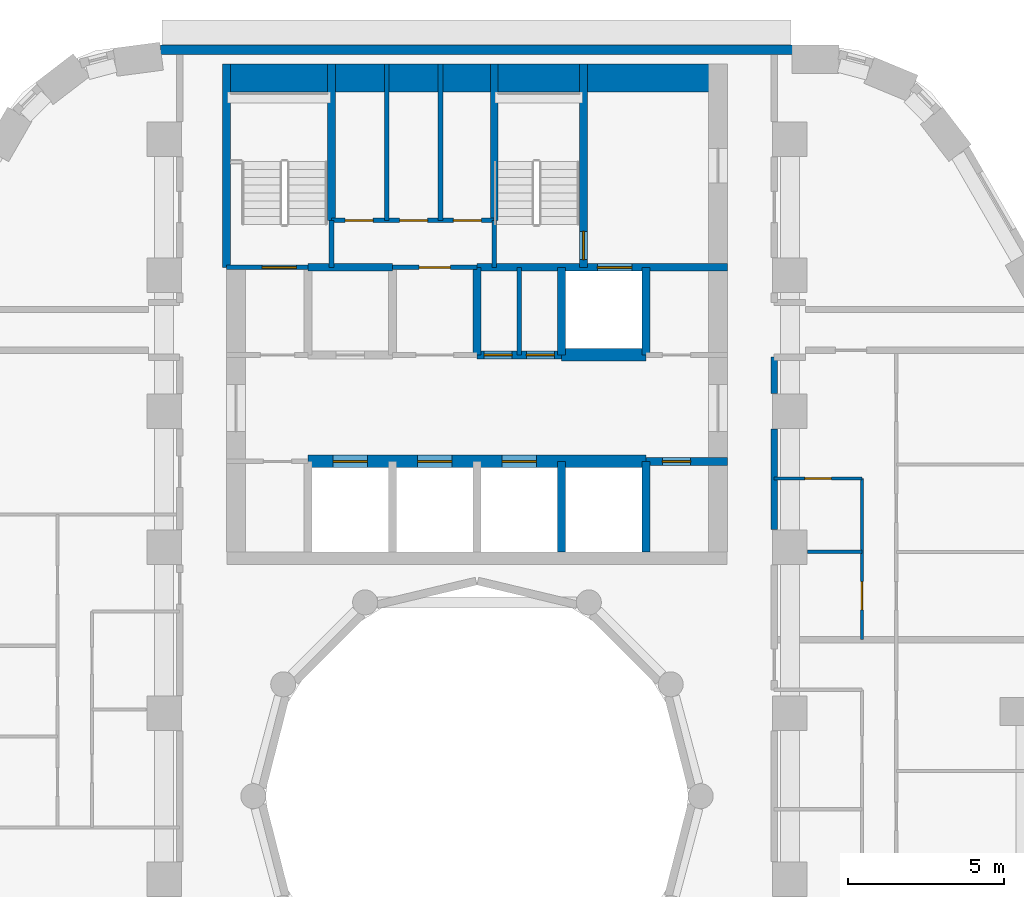
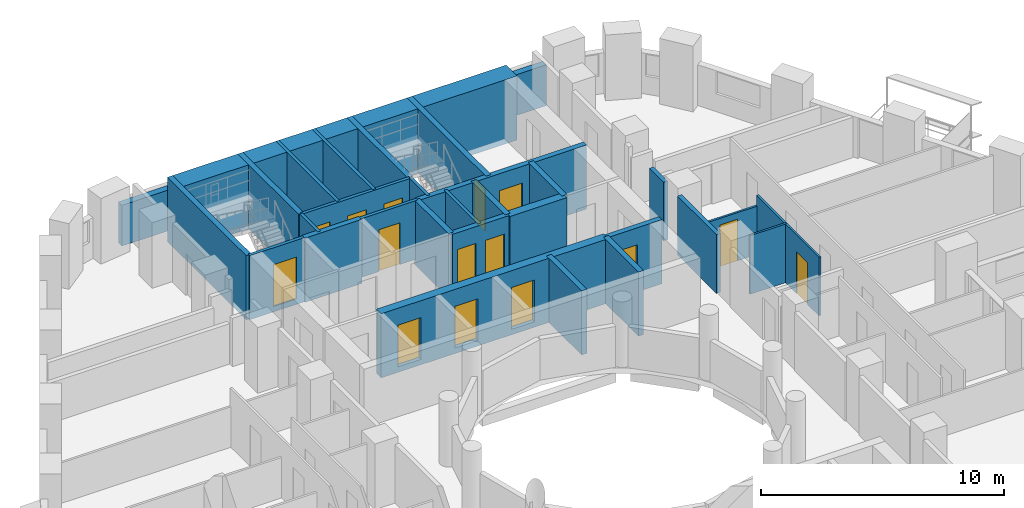
# One storey, part 8 of 13: 30 walls, 15 doors, 15 openings.
"""IFC4 building model written with IfcOpenShell, lengths in metres."""

from ifc_helpers import new_model, si_unit, direction, frame, frame_2d, origin, place, context, subcontext, project, spatial, rectangle, extrude, material, layer, layer_set, type_object, element, fill, save


model = new_model("IFC4")

# Units and contexts
model_context = context("Model", 3, precision=1e-05, world=origin(), true_north=direction((0.0, 1.0)))
body_context = subcontext(model_context, "Body", "Model", "MODEL_VIEW")
ifc_project = project(units=[si_unit("LENGTHUNIT", "METRE"), si_unit("AREAUNIT", "SQUARE_METRE"), si_unit("VOLUMEUNIT", "CUBIC_METRE"), si_unit("PLANEANGLEUNIT", "RADIAN"), si_unit("MASSUNIT", "GRAM", prefix="KILO")], contexts=[model_context])

# Site, building, storey
site_placement = place(None, origin())
site = spatial("IfcSite", under=ifc_project, at=site_placement, CompositionType="ELEMENT")
building_placement = place(site_placement, origin())
building = spatial("IfcBuilding", under=site, at=building_placement, Name="Nakaniwa Court", CompositionType="ELEMENT")
storey_placement = place(building_placement, frame((0.0, 0.0, 67.800048828125)))
storey = spatial("IfcBuildingStorey", under=building, at=storey_placement, Name="L18", CompositionType="ELEMENT", Elevation=67.800048828125)

# Walls
ifc_material_1 = material(Name="Acoustic double stud partition")
ifc_layer_1 = layer(ifc_material_1, 0.199951171875)
ifc_layer_set_1 = layer_set([ifc_layer_1], Name="Acoustic double stud partition")
wall_type_1 = type_object("IfcWallType", Name="Acoustic double stud partition 200", PredefinedType="PARTITIONING", material=ifc_layer_set_1)
wall_1_placement = place(storey_placement, frame((89.5, 88.51708984375, 0.0), z_axis=(0.0, 0.0, 1.0), x_axis=(0.0, 1.0, 0.0)))
element("IfcWall", 1, at=wall_1_placement, inside=storey, type_object=wall_type_1, Name="Partition PW-079", PredefinedType="PARTITIONING", context=body_context, shape_type="SweptSolid", body=[
    extrude(rectangle(XDim=3.2158203125, YDim=0.199951171875, at=frame_2d((1.60791015625, 0.0))), origin(), (0.0, 0.0, 1.0), 2.949951171875),
])
wall_2_placement = place(storey_placement, frame((89.5, 92.866943359375, 0.0), z_axis=(0.0, 0.0, 1.0), x_axis=(0.0, 1.0, 0.0)))
element("IfcWall", 2, at=wall_2_placement, inside=storey, type_object=wall_type_1, Name="Partition PW-080", PredefinedType="PARTITIONING", context=body_context, shape_type="SweptSolid", body=[
    extrude(rectangle(XDim=1.1611328125, YDim=0.199951171875, at=frame_2d((0.58056640625, 0.0))), origin(), (0.0, 0.0, 1.0), 2.949951171875),
])
ifc_material_2 = material(Name="Charcoal ceramic cladding")
ifc_layer_2 = layer(ifc_material_2, 0.02, Name="Ceramic cladding")
ifc_material_3 = material(Name="Ventilated air cavity")
ifc_layer_3 = layer(ifc_material_3, 0.04, ventilated=True, Name="Ventilated cavity")
ifc_material_4 = material(Name="Mineral wool insulation")
ifc_layer_4 = layer(ifc_material_4, 0.1, Name="Insulation")
ifc_material_5 = material(Name="Cement bonded sheathing board")
ifc_layer_5 = layer(ifc_material_5, 0.012, Name="Sheathing")
ifc_material_6 = material(Name="Cold-formed galvanised stud frame with mineral wool infill")
ifc_layer_6 = layer(ifc_material_6, 0.1, Name="Stud frame")
ifc_material_7 = material(Name="Fire-rated gypsum plasterboard lining")
ifc_layer_7 = layer(ifc_material_7, 0.028, Name="Lining")
ifc_layer_set_2 = layer_set([ifc_layer_2, ifc_layer_3, ifc_layer_4, ifc_layer_5, ifc_layer_6, ifc_layer_7], Name="Charcoal ceramic faced external wall system")
wall_type_2 = type_object("IfcWallType", Name="Black ceramic faced external wall 300", PredefinedType="SOLIDWALL", material=ifc_layer_set_2)
wall_3_placement = place(storey_placement, frame((90.07861328125, 103.85009765625, 0.0), z_axis=(0.0, 0.0, 1.0), x_axis=(-1.0, 0.0, 0.0)))
element("IfcWall", 3, at=wall_3_placement, inside=storey, type_object=wall_type_2, Name="L18 external wall 08", PredefinedType="SOLIDWALL", context=body_context, shape_type="SweptSolid", body=[
    extrude(rectangle(XDim=20.1904296875, YDim=0.300048828125, at=frame_2d((10.09521484375, 0.0))), origin(), (0.0, 0.0, 1.0), 2.050048828125),
])

# Wall, opening, door
ifc_material_8 = material(Name="Blockwork partition", Category="masonry")
ifc_layer_8 = layer(ifc_material_8, 0.14990234375)
ifc_layer_set_3 = layer_set([ifc_layer_8], Name="Blockwork partition")
wall_type_3 = type_object("IfcWallType", Name="Blockwork partition 150", PredefinedType="PARTITIONING", material=ifc_layer_set_3)
wall_4_placement = place(storey_placement, frame((77.300048828125, 96.89990234375, 0.0), z_axis=(0.0, 0.0, 1.0), x_axis=(1.0, 0.0, 0.0)))
wall_4 = element("IfcWall", 4, at=wall_4_placement, inside=storey, type_object=wall_type_3, Name="Partition PW-025", PredefinedType="PARTITIONING", context=body_context, shape_type="SweptSolid", body=[
    extrude(rectangle(XDim=2.699951171875, YDim=0.14990234375, at=frame_2d((1.35009765625, 0.0))), origin(), (0.0, 0.0, 1.0), 2.949951171875),
])
opening_1_placement = place(wall_4_placement, frame((0.85009765625, 0.0, 0.0)))
opening_1 = element("IfcOpeningElement", 5, at=opening_1_placement, cuts=wall_4, Name="Opening D-23-01", PredefinedType="OPENING", context=body_context, shape_type="SweptSolid", body=[
    extrude(rectangle(XDim=1.0, YDim=2.10009765625, at=frame_2d((0.5, 1.050048828125))), frame((0.0, 0.0849609375, 0.0), z_axis=(0.0, -1.0, 0.0), x_axis=(1.0, 0.0, 0.0)), (0.0, 0.0, 1.0), 0.169921875),
])
ifc_material_9 = material(Name="Fire rated steel door set", Category="steel")
door_type_1 = type_object("IfcDoorType", Name="Service room door 1000", OperationType="NOTDEFINED", PredefinedType="DOOR", material=ifc_material_9)
door_1_placement = place(opening_1_placement, origin())
door_1 = element("IfcDoor", 6, at=door_1_placement, inside=storey, type_object=door_type_1, Name="Door D-23-01 L18-009", OperationType="SINGLE_SWING_RIGHT", OverallHeight=2.10009765625, OverallWidth=1.0, PredefinedType="DOOR", context=body_context, shape_type="SweptSolid", body=[
    extrude(rectangle(XDim=1.0, YDim=2.10009765625, at=frame_2d((0.5, 1.050048828125))), frame((0.0, 0.02490234375, 0.0), z_axis=(0.0, -1.0, 0.0), x_axis=(1.0, 0.0, 0.0)), (0.0, 0.0, 1.0), 0.050048828125),
])
fill(opening_1, door_1)

# Wall
wall_5_placement = place(storey_placement, frame((81.35009765625, 94.10009765625, 0.0), z_axis=(0.0, 0.0, 1.0), x_axis=(0.0, 1.0, 0.0)))
element("IfcWall", 7, at=wall_5_placement, inside=storey, type_object=wall_type_3, Name="Partition PW-026", PredefinedType="PARTITIONING", context=body_context, shape_type="SweptSolid", body=[
    extrude(rectangle(XDim=2.7998046875, YDim=0.14990234375, at=frame_2d((1.39990234375, 0.0))), origin(), (0.0, 0.0, 1.0), 2.949951171875),
])

# Wall, openings, doors
wall_6_placement = place(storey_placement, frame((75.35009765625, 98.39990234375, 0.0), z_axis=(0.0, 0.0, 1.0), x_axis=(1.0, 0.0, 0.0)))
wall_6 = element("IfcWall", 8, at=wall_6_placement, inside=storey, type_object=wall_type_3, Name="Partition PW-033", PredefinedType="PARTITIONING", context=body_context, shape_type="SweptSolid", body=[
    extrude(rectangle(XDim=5.199951171875, YDim=0.14990234375, at=frame_2d((2.60009765625, 0.0))), origin(), (0.0, 0.0, 1.0), 2.949951171875),
])
opening_2_placement = place(wall_6_placement, frame((0.43408203125, 0.0, 0.0)))
opening_2 = element("IfcOpeningElement", 9, at=opening_2_placement, cuts=wall_6, Name="Opening D-05-07", PredefinedType="OPENING", context=body_context, shape_type="SweptSolid", body=[
    extrude(rectangle(XDim=0.89990234375, YDim=2.10009765625, at=frame_2d((0.449951171875, 1.050048828125))), frame((0.0, 0.0849609375, 0.0), z_axis=(0.0, -1.0, 0.0), x_axis=(1.0, 0.0, 0.0)), (0.0, 0.0, 1.0), 0.169921875),
])
opening_3_placement = place(wall_6_placement, frame((2.176025390625, 0.0, 0.0)))
opening_3 = element("IfcOpeningElement", 10, at=opening_3_placement, cuts=wall_6, Name="Opening D-05-08", PredefinedType="OPENING", context=body_context, shape_type="SweptSolid", body=[
    extrude(rectangle(XDim=0.89990234375, YDim=2.10009765625, at=frame_2d((0.449951171875, 1.050048828125))), frame((0.0, 0.0849609375, 0.0), z_axis=(0.0, -1.0, 0.0), x_axis=(1.0, 0.0, 0.0)), (0.0, 0.0, 1.0), 0.169921875),
])
opening_4_placement = place(wall_6_placement, frame((3.89208984375, 0.0, 0.0)))
opening_4 = element("IfcOpeningElement", 11, at=opening_4_placement, cuts=wall_6, Name="Opening D-05-09", PredefinedType="OPENING", context=body_context, shape_type="SweptSolid", body=[
    extrude(rectangle(XDim=0.89990234375, YDim=2.10009765625, at=frame_2d((0.449951171875, 1.050048828125))), frame((0.0, 0.0849609375, 0.0), z_axis=(0.0, -1.0, 0.0), x_axis=(1.0, 0.0, 0.0)), (0.0, 0.0, 1.0), 0.169921875),
])
door_type_2 = type_object("IfcDoorType", Name="Service room door 900", OperationType="NOTDEFINED", PredefinedType="DOOR", material=ifc_material_9)
door_2_placement = place(opening_2_placement, origin())
door_2 = element("IfcDoor", 12, at=door_2_placement, inside=storey, type_object=door_type_2, Name="Door D-05-07 L18-010", OperationType="SINGLE_SWING_LEFT", OverallHeight=2.10009765625, OverallWidth=0.89990234375, PredefinedType="DOOR", context=body_context, shape_type="SweptSolid", body=[
    extrude(rectangle(XDim=0.89990234375, YDim=2.10009765625, at=frame_2d((0.449951171875, 1.050048828125))), frame((0.0, 0.02490234375, 0.0), z_axis=(0.0, -1.0, 0.0), x_axis=(1.0, 0.0, 0.0)), (0.0, 0.0, 1.0), 0.050048828125),
])
fill(opening_2, door_2)
door_3_placement = place(opening_3_placement, origin())
door_3 = element("IfcDoor", 13, at=door_3_placement, inside=storey, type_object=door_type_2, Name="Door D-05-08 L18-011", OperationType="SINGLE_SWING_RIGHT", OverallHeight=2.10009765625, OverallWidth=0.89990234375, PredefinedType="DOOR", context=body_context, shape_type="SweptSolid", body=[
    extrude(rectangle(XDim=0.89990234375, YDim=2.10009765625, at=frame_2d((0.449951171875, 1.050048828125))), frame((0.0, 0.02490234375, 0.0), z_axis=(0.0, -1.0, 0.0), x_axis=(1.0, 0.0, 0.0)), (0.0, 0.0, 1.0), 0.050048828125),
])
fill(opening_3, door_3)
door_4_placement = place(opening_4_placement, origin())
door_4 = element("IfcDoor", 14, at=door_4_placement, inside=storey, type_object=door_type_2, Name="Door D-05-09 L18-012", OperationType="SINGLE_SWING_LEFT", OverallHeight=2.10009765625, OverallWidth=0.89990234375, PredefinedType="DOOR", context=body_context, shape_type="SweptSolid", body=[
    extrude(rectangle(XDim=0.89990234375, YDim=2.10009765625, at=frame_2d((0.449951171875, 1.050048828125))), frame((0.0, 0.02490234375, 0.0), z_axis=(0.0, -1.0, 0.0), x_axis=(1.0, 0.0, 0.0)), (0.0, 0.0, 1.0), 0.050048828125),
])
fill(opening_4, door_4)

# Walls
for number, where, z_axis, x_axis, name in (
    (15, (77.117919921875, 98.39990234375, 0.0), (0.0, 0.0, 1.0), (0.0, 1.0, 0.0), "Partition PW-034"),
    (16, (78.833984375, 98.39990234375, 0.0), (0.0, 0.0, 1.0), (0.0, 1.0, 0.0), "Partition PW-035"),
):
    element("IfcWall", number, at=place(storey_placement, frame(where, z_axis=z_axis, x_axis=x_axis)), inside=storey, type_object=wall_type_3, Name=name, PredefinedType="PARTITIONING", context=body_context, shape_type="SweptSolid", body=[
        extrude(rectangle(XDim=5.0, YDim=0.14990234375, at=frame_2d((2.5, 0.0))), origin(), (0.0, 0.0, 1.0), 2.949951171875),
    ])

# Wall, openings, doors
ifc_material_10 = material(Name="Concrete C100/115", Category="concrete")
ifc_layer_9 = layer(ifc_material_10, 0.39990234375)
ifc_layer_set_4 = layer_set([ifc_layer_9], Name="Concrete C100/115")
wall_type_4 = type_object("IfcWallType", Name="Concrete core spine wall 400 C100", PredefinedType="SHEAR", material=ifc_layer_set_4)
wall_7_placement = place(storey_placement, frame((74.60009765625, 90.699951171875, -0.275146484375), z_axis=(0.0, 0.0, 1.0), x_axis=(1.0, 0.0, 0.0)))
wall_7 = element("IfcWall", 17, at=wall_7_placement, inside=storey, type_object=wall_type_4, Name="Core wall SW-07", PredefinedType="SHEAR", context=body_context, shape_type="SweptSolid", body=[
    extrude(rectangle(XDim=10.7998046875, YDim=0.39990234375, at=frame_2d((5.39990234375, 0.0))), origin(), (0.0, 0.0, 1.0), 3.22509765625),
])
opening_5_placement = place(wall_7_placement, frame((0.800048828125, 0.0, 0.27490234375)))
opening_5 = element("IfcOpeningElement", 18, at=opening_5_placement, cuts=wall_7, Name="Opening LD01", PredefinedType="OPENING", context=body_context, shape_type="SweptSolid", body=[
    extrude(rectangle(XDim=1.10009765625, YDim=2.10009765625, at=frame_2d((0.550048828125, 1.050048828125))), frame((0.0, 0.2099609375, 0.0), z_axis=(0.0, -1.0, 0.0), x_axis=(1.0, 0.0, 0.0)), (0.0, 0.0, 1.0), 0.419921875),
])
opening_6_placement = place(wall_7_placement, frame((3.5, 0.0, 0.27490234375)))
opening_6 = element("IfcOpeningElement", 19, at=opening_6_placement, cuts=wall_7, Name="Opening LD02", PredefinedType="OPENING", context=body_context, shape_type="SweptSolid", body=[
    extrude(rectangle(XDim=1.10009765625, YDim=2.10009765625, at=frame_2d((0.550048828125, 1.050048828125))), frame((0.0, 0.2099609375, 0.0), z_axis=(0.0, -1.0, 0.0), x_axis=(1.0, 0.0, 0.0)), (0.0, 0.0, 1.0), 0.419921875),
])
opening_7_placement = place(wall_7_placement, frame((6.199951171875, 0.0, 0.27490234375)))
opening_7 = element("IfcOpeningElement", 20, at=opening_7_placement, cuts=wall_7, Name="Opening LD03", PredefinedType="OPENING", context=body_context, shape_type="SweptSolid", body=[
    extrude(rectangle(XDim=1.10009765625, YDim=2.10009765625, at=frame_2d((0.550048828125, 1.050048828125))), frame((0.0, 0.2099609375, 0.0), z_axis=(0.0, -1.0, 0.0), x_axis=(1.0, 0.0, 0.0)), (0.0, 0.0, 1.0), 0.419921875),
])
ifc_material_11 = material(Name="Stainless steel sliding lift landing door", Category="steel")
door_type_3 = type_object("IfcDoorType", Name="Lift landing door 1100", OperationType="NOTDEFINED", PredefinedType="DOOR", material=ifc_material_11)
door_5_placement = place(opening_5_placement, origin())
door_5 = element("IfcDoor", 21, at=door_5_placement, inside=storey, type_object=door_type_3, Name="Lift landing door LD01 L18-001", OperationType="SLIDING_TO_LEFT", OverallHeight=2.10009765625, OverallWidth=1.10009765625, PredefinedType="DOOR", context=body_context, shape_type="SweptSolid", body=[
    extrude(rectangle(XDim=1.10009765625, YDim=2.10009765625, at=frame_2d((0.550048828125, 1.050048828125))), frame((0.0, 0.02490234375, 0.0), z_axis=(0.0, -1.0, 0.0), x_axis=(1.0, 0.0, 0.0)), (0.0, 0.0, 1.0), 0.050048828125),
])
fill(opening_5, door_5)
door_6_placement = place(opening_6_placement, origin())
door_6 = element("IfcDoor", 22, at=door_6_placement, inside=storey, type_object=door_type_3, Name="Lift landing door LD02 L18-002", OperationType="SLIDING_TO_LEFT", OverallHeight=2.10009765625, OverallWidth=1.10009765625, PredefinedType="DOOR", context=body_context, shape_type="SweptSolid", body=[
    extrude(rectangle(XDim=1.10009765625, YDim=2.10009765625, at=frame_2d((0.550048828125, 1.050048828125))), frame((0.0, 0.02490234375, 0.0), z_axis=(0.0, -1.0, 0.0), x_axis=(1.0, 0.0, 0.0)), (0.0, 0.0, 1.0), 0.050048828125),
])
fill(opening_6, door_6)
door_7_placement = place(opening_7_placement, origin())
door_7 = element("IfcDoor", 23, at=door_7_placement, inside=storey, type_object=door_type_3, Name="Lift landing door LD03 L18-003", OperationType="SLIDING_TO_LEFT", OverallHeight=2.10009765625, OverallWidth=1.10009765625, PredefinedType="DOOR", context=body_context, shape_type="SweptSolid", body=[
    extrude(rectangle(XDim=1.10009765625, YDim=2.10009765625, at=frame_2d((0.550048828125, 1.050048828125))), frame((0.0, 0.02490234375, 0.0), z_axis=(0.0, -1.0, 0.0), x_axis=(1.0, 0.0, 0.0)), (0.0, 0.0, 1.0), 0.050048828125),
])
fill(opening_7, door_7)

# Wall
wall_8_placement = place(storey_placement, frame((82.697021484375, 94.10009765625, -0.275146484375), z_axis=(0.0, 0.0, 1.0), x_axis=(1.0, 0.0, 0.0)))
element("IfcWall", 24, at=wall_8_placement, inside=storey, type_object=wall_type_4, Name="Core wall SW-21", PredefinedType="SHEAR", context=body_context, shape_type="SweptSolid", body=[
    extrude(rectangle(XDim=2.7060546875, YDim=0.39990234375, at=frame_2d((1.35302734375, 0.0))), origin(), (0.0, 0.0, 1.0), 3.22509765625),
])

# Wall, opening, door
ifc_layer_10 = layer(ifc_material_10, 0.14990234375)
ifc_layer_set_5 = layer_set([ifc_layer_10], Name="Concrete C100/115")
wall_type_5 = type_object("IfcWallType", Name="Concrete core wall 150 C100", PredefinedType="SHEAR", material=ifc_layer_set_5)
wall_9_placement = place(storey_placement, frame((74.60009765625, 96.89990234375, -0.275146484375), z_axis=(0.0, 0.0, 1.0), x_axis=(-1.0, 0.0, 0.0)))
wall_9 = element("IfcWall", 25, at=wall_9_placement, inside=storey, type_object=wall_type_5, Name="Core wall SW-22", PredefinedType="SHEAR", context=body_context, shape_type="SweptSolid", body=[
    extrude(rectangle(XDim=2.60009765625, YDim=0.14990234375, at=frame_2d((1.300048828125, 0.0))), origin(), (0.0, 0.0, 1.0), 3.22509765625),
])
opening_8_placement = place(wall_9_placement, frame((0.3701171875, 0.0, 0.27490234375)))
opening_8 = element("IfcOpeningElement", 26, at=opening_8_placement, cuts=wall_9, Name="Opening D-09-01", PredefinedType="OPENING", context=body_context, shape_type="SweptSolid", body=[
    extrude(rectangle(XDim=1.10009765625, YDim=2.10009765625, at=frame_2d((0.550048828125, 1.050048828125))), frame((0.0, 0.0849609375, 0.0), z_axis=(0.0, -1.0, 0.0), x_axis=(1.0, 0.0, 0.0)), (0.0, 0.0, 1.0), 0.169921875),
])
door_type_4 = type_object("IfcDoorType", Name="Stair door 1100", OperationType="NOTDEFINED", PredefinedType="DOOR", material=ifc_material_9)
door_8_placement = place(opening_8_placement, origin())
door_8 = element("IfcDoor", 27, at=door_8_placement, inside=storey, type_object=door_type_4, Name="Door D-09-01 L18-013", OperationType="SINGLE_SWING_LEFT", OverallHeight=2.10009765625, OverallWidth=1.10009765625, PredefinedType="DOOR", context=body_context, shape_type="SweptSolid", body=[
    extrude(rectangle(XDim=1.10009765625, YDim=2.10009765625, at=frame_2d((0.550048828125, 1.050048828125))), frame((0.0, 0.02490234375, 0.0), z_axis=(0.0, -1.0, 0.0), x_axis=(1.0, 0.0, 0.0)), (0.0, 0.0, 1.0), 0.050048828125),
])
fill(opening_8, door_8)

# Walls
for number, where, z_axis, x_axis, name in (
    (28, (75.35009765625, 96.89990234375, -0.275146484375), (0.0, 0.0, 1.0), (0.0, 1.0, 0.0), "Core wall SW-27"),
    (29, (80.550048828125, 96.89990234375, -0.275146484375), (0.0, 0.0, 1.0), (0.0, 1.0, 0.0), "Core wall SW-31"),
):
    element("IfcWall", number, at=place(storey_placement, frame(where, z_axis=z_axis, x_axis=x_axis)), inside=storey, type_object=wall_type_5, Name=name, PredefinedType="SHEAR", context=body_context, shape_type="SweptSolid", body=[
        extrude(rectangle(XDim=1.503173828125, YDim=0.14990234375, at=frame_2d((0.75146484375, 0.0))), origin(), (0.0, 0.0, 1.0), 3.22509765625),
    ])
ifc_layer_11 = layer(ifc_material_10, 0.25)
ifc_layer_set_6 = layer_set([ifc_layer_11], Name="Concrete C100/115")
wall_type_6 = type_object("IfcWallType", Name="Concrete core wall 250 C100", PredefinedType="SHEAR", material=ifc_layer_set_6)
wall_10_placement = place(storey_placement, frame((72.0, 96.89990234375, -0.275146484375), z_axis=(0.0, 0.0, 1.0), x_axis=(0.0, 1.0, 0.0)))
element("IfcWall", 30, at=wall_10_placement, inside=storey, type_object=wall_type_6, Name="Core wall SW-29", PredefinedType="SHEAR", context=body_context, shape_type="SweptSolid", body=[
    extrude(rectangle(XDim=6.5, YDim=0.25, at=frame_2d((3.25, 0.0))), origin(), (0.0, 0.0, 1.0), 3.22509765625),
])
ifc_layer_12 = layer(ifc_material_10, 0.89990234375)
ifc_layer_set_7 = layer_set([ifc_layer_12], Name="Concrete C100/115")
wall_type_7 = type_object("IfcWallType", Name="Concrete core wall 900 C100", PredefinedType="SHEAR", material=ifc_layer_set_7)
wall_11_placement = place(storey_placement, frame((72.00390625, 102.949951171875, -0.275146484375), z_axis=(0.0, 0.0, 1.0), x_axis=(1.0, 0.0, 0.0)))
element("IfcWall", 31, at=wall_11_placement, inside=storey, type_object=wall_type_7, Name="Core wall SW-135", PredefinedType="SHEAR", context=body_context, shape_type="SweptSolid", body=[
    extrude(rectangle(XDim=15.9921875, YDim=0.89990234375, at=frame_2d((7.99609375, 0.0))), origin(), (0.0, 0.0, 1.0), 3.22509765625),
])
ifc_layer_13 = layer(ifc_material_10, 0.25)
ifc_layer_set_8 = layer_set([ifc_layer_13], Name="Concrete C100/115")
wall_type_8 = type_object("IfcWallType", Name="Concrete shaft wall 250 C100", PredefinedType="SHEAR", material=ifc_layer_set_8)
wall_12_placement = place(storey_placement, frame((80.0, 94.10009765625, -0.275146484375), z_axis=(0.0, 0.0, 1.0), x_axis=(0.0, 1.0, 0.0)))
element("IfcWall", 32, at=wall_12_placement, inside=storey, type_object=wall_type_8, Name="Core wall SW-09", PredefinedType="SHEAR", context=body_context, shape_type="SweptSolid", body=[
    extrude(rectangle(XDim=2.7998046875, YDim=0.25, at=frame_2d((1.39990234375, 0.0))), origin(), (0.0, 0.0, 1.0), 3.22509765625),
])
wall_13_placement = place(storey_placement, frame((82.699951171875, 87.800048828125, -0.275146484375), z_axis=(0.0, 0.0, 1.0), x_axis=(0.0, 1.0, 0.0)))
element("IfcWall", 33, at=wall_13_placement, inside=storey, type_object=wall_type_8, Name="Core wall SW-10", PredefinedType="SHEAR", context=body_context, shape_type="SweptSolid", body=[
    extrude(rectangle(XDim=2.89990234375, YDim=0.25, at=frame_2d((1.449951171875, 0.0))), origin(), (0.0, 0.0, 1.0), 3.22509765625),
])
wall_14_placement = place(storey_placement, frame((82.699951171875, 94.10009765625, -0.275146484375), z_axis=(0.0, 0.0, 1.0), x_axis=(0.0, 1.0, 0.0)))
element("IfcWall", 34, at=wall_14_placement, inside=storey, type_object=wall_type_8, Name="Core wall SW-11", PredefinedType="SHEAR", context=body_context, shape_type="SweptSolid", body=[
    extrude(rectangle(XDim=2.7998046875, YDim=0.25, at=frame_2d((1.39990234375, 0.0))), origin(), (0.0, 0.0, 1.0), 3.22509765625),
])
wall_15_placement = place(storey_placement, frame((85.39990234375, 87.800048828125, -0.275146484375), z_axis=(0.0, 0.0, 1.0), x_axis=(0.0, 1.0, 0.0)))
element("IfcWall", 35, at=wall_15_placement, inside=storey, type_object=wall_type_8, Name="Core wall SW-12", PredefinedType="SHEAR", context=body_context, shape_type="SweptSolid", body=[
    extrude(rectangle(XDim=2.89990234375, YDim=0.25, at=frame_2d((1.449951171875, 0.0))), origin(), (0.0, 0.0, 1.0), 3.22509765625),
])
wall_16_placement = place(storey_placement, frame((85.39990234375, 94.10009765625, -0.275146484375), z_axis=(0.0, 0.0, 1.0), x_axis=(0.0, 1.0, 0.0)))
element("IfcWall", 36, at=wall_16_placement, inside=storey, type_object=wall_type_8, Name="Core wall SW-13", PredefinedType="SHEAR", context=body_context, shape_type="SweptSolid", body=[
    extrude(rectangle(XDim=2.7998046875, YDim=0.25, at=frame_2d((1.39990234375, 0.0))), origin(), (0.0, 0.0, 1.0), 3.22509765625),
])

# Wall, opening, door
wall_17_placement = place(storey_placement, frame((88.0, 90.699951171875, -0.275146484375), z_axis=(0.0, 0.0, 1.0), x_axis=(-1.0, 0.0, 0.0)))
wall_17 = element("IfcWall", 37, at=wall_17_placement, inside=storey, type_object=wall_type_8, Name="Core wall SW-14", PredefinedType="SHEAR", context=body_context, shape_type="SweptSolid", body=[
    extrude(rectangle(XDim=2.60009765625, YDim=0.25, at=frame_2d((1.300048828125, 0.0))), origin(), (0.0, 0.0, 1.0), 3.22509765625),
])
opening_9_placement = place(wall_17_placement, frame((1.175048828125, 0.0, 0.27490234375)))
opening_9 = element("IfcOpeningElement", 38, at=opening_9_placement, cuts=wall_17, Name="Opening D-05-02", PredefinedType="OPENING", context=body_context, shape_type="SweptSolid", body=[
    extrude(rectangle(XDim=0.89990234375, YDim=2.10009765625, at=frame_2d((0.449951171875, 1.050048828125))), frame((0.0, 0.135009765625, 0.0), z_axis=(0.0, -1.0, 0.0), x_axis=(1.0, 0.0, 0.0)), (0.0, 0.0, 1.0), 0.27001953125),
])
door_9_placement = place(opening_9_placement, origin())
door_9 = element("IfcDoor", 39, at=door_9_placement, inside=storey, type_object=door_type_2, Name="Door D-05-02 L18-002", OperationType="SINGLE_SWING_LEFT", OverallHeight=2.10009765625, OverallWidth=0.89990234375, PredefinedType="DOOR", context=body_context, shape_type="SweptSolid", body=[
    extrude(rectangle(XDim=0.89990234375, YDim=2.10009765625, at=frame_2d((0.449951171875, 1.050048828125))), frame((0.0, 0.02490234375, 0.0), z_axis=(0.0, -1.0, 0.0), x_axis=(1.0, 0.0, 0.0)), (0.0, 0.0, 1.0), 0.050048828125),
])
fill(opening_9, door_9)

# Wall, openings, doors
wall_18_placement = place(storey_placement, frame((79.9970703125, 94.10009765625, -0.275146484375), z_axis=(0.0, 0.0, 1.0), x_axis=(1.0, 0.0, 0.0)))
wall_18 = element("IfcWall", 40, at=wall_18_placement, inside=storey, type_object=wall_type_8, Name="Core wall SW-20", PredefinedType="SHEAR", context=body_context, shape_type="SweptSolid", body=[
    extrude(rectangle(XDim=2.705810546875, YDim=0.25, at=frame_2d((1.35302734375, 0.0))), origin(), (0.0, 0.0, 1.0), 3.22509765625),
])
opening_10_placement = place(wall_18_placement, frame((0.22802734375, 0.0, 0.27490234375)))
opening_10 = element("IfcOpeningElement", 41, at=opening_10_placement, cuts=wall_18, Name="Opening D-05-04", PredefinedType="OPENING", context=body_context, shape_type="SweptSolid", body=[
    extrude(rectangle(XDim=0.89990234375, YDim=2.10009765625, at=frame_2d((0.449951171875, 1.050048828125))), frame((0.0, 0.135009765625, 0.0), z_axis=(0.0, -1.0, 0.0), x_axis=(1.0, 0.0, 0.0)), (0.0, 0.0, 1.0), 0.27001953125),
])
opening_11_placement = place(wall_18_placement, frame((1.577880859375, 0.0, 0.27490234375)))
opening_11 = element("IfcOpeningElement", 42, at=opening_11_placement, cuts=wall_18, Name="Opening D-05-05", PredefinedType="OPENING", context=body_context, shape_type="SweptSolid", body=[
    extrude(rectangle(XDim=0.89990234375, YDim=2.10009765625, at=frame_2d((0.449951171875, 1.050048828125))), frame((0.0, 0.135009765625, 0.0), z_axis=(0.0, -1.0, 0.0), x_axis=(1.0, 0.0, 0.0)), (0.0, 0.0, 1.0), 0.27001953125),
])
door_10_placement = place(opening_10_placement, origin())
door_10 = element("IfcDoor", 43, at=door_10_placement, inside=storey, type_object=door_type_2, Name="Door D-05-04 L18-006", OperationType="SINGLE_SWING_LEFT", OverallHeight=2.10009765625, OverallWidth=0.89990234375, PredefinedType="DOOR", context=body_context, shape_type="SweptSolid", body=[
    extrude(rectangle(XDim=0.89990234375, YDim=2.10009765625, at=frame_2d((0.449951171875, 1.050048828125))), frame((0.0, 0.02490234375, 0.0), z_axis=(0.0, -1.0, 0.0), x_axis=(1.0, 0.0, 0.0)), (0.0, 0.0, 1.0), 0.050048828125),
])
fill(opening_10, door_10)
door_11_placement = place(opening_11_placement, origin())
door_11 = element("IfcDoor", 44, at=door_11_placement, inside=storey, type_object=door_type_2, Name="Door D-05-05 L18-007", OperationType="SINGLE_SWING_RIGHT", OverallHeight=2.10009765625, OverallWidth=0.89990234375, PredefinedType="DOOR", context=body_context, shape_type="SweptSolid", body=[
    extrude(rectangle(XDim=0.89990234375, YDim=2.10009765625, at=frame_2d((0.449951171875, 1.050048828125))), frame((0.0, 0.02490234375, 0.0), z_axis=(0.0, -1.0, 0.0), x_axis=(1.0, 0.0, 0.0)), (0.0, 0.0, 1.0), 0.050048828125),
])
fill(opening_11, door_11)

# Wall
wall_19_placement = place(storey_placement, frame((74.60009765625, 96.89990234375, -0.275146484375), z_axis=(0.0, 0.0, 1.0), x_axis=(1.0, 0.0, 0.0)))
element("IfcWall", 45, at=wall_19_placement, inside=storey, type_object=wall_type_8, Name="Core wall SW-23", PredefinedType="SHEAR", context=body_context, shape_type="SweptSolid", body=[
    extrude(rectangle(XDim=2.699951171875, YDim=0.25, at=frame_2d((1.35009765625, 0.0))), origin(), (0.0, 0.0, 1.0), 3.22509765625),
])

# Wall, opening, door
wall_20_placement = place(storey_placement, frame((80.0, 96.89990234375, -0.275146484375), z_axis=(0.0, 0.0, 1.0), x_axis=(1.0, 0.0, 0.0)))
wall_20 = element("IfcWall", 46, at=wall_20_placement, inside=storey, type_object=wall_type_8, Name="Core wall SW-24", PredefinedType="SHEAR", context=body_context, shape_type="SweptSolid", body=[
    extrude(rectangle(XDim=8.0, YDim=0.25, at=frame_2d((4.0, 0.0))), origin(), (0.0, 0.0, 1.0), 3.22509765625),
])
opening_12_placement = place(wall_20_placement, frame((3.84912109375, 0.0, 0.27490234375)))
opening_12 = element("IfcOpeningElement", 47, at=opening_12_placement, cuts=wall_20, Name="Opening LD04", PredefinedType="OPENING", context=body_context, shape_type="SweptSolid", body=[
    extrude(rectangle(XDim=1.10009765625, YDim=2.10009765625, at=frame_2d((0.550048828125, 1.050048828125))), frame((0.0, 0.135009765625, 0.0), z_axis=(0.0, -1.0, 0.0), x_axis=(1.0, 0.0, 0.0)), (0.0, 0.0, 1.0), 0.27001953125),
])
door_12_placement = place(opening_12_placement, origin())
door_12 = element("IfcDoor", 48, at=door_12_placement, inside=storey, type_object=door_type_3, Name="Lift landing door LD04 L18-004", OperationType="SLIDING_TO_LEFT", OverallHeight=2.10009765625, OverallWidth=1.10009765625, PredefinedType="DOOR", context=body_context, shape_type="SweptSolid", body=[
    extrude(rectangle(XDim=1.10009765625, YDim=2.10009765625, at=frame_2d((0.550048828125, 1.050048828125))), frame((0.0, 0.02490234375, 0.0), z_axis=(0.0, -1.0, 0.0), x_axis=(1.0, 0.0, 0.0)), (0.0, 0.0, 1.0), 0.050048828125),
])
fill(opening_12, door_12)

# Wall
wall_21_placement = place(storey_placement, frame((75.35009765625, 98.39697265625, -0.275146484375), z_axis=(0.0, 0.0, 1.0), x_axis=(0.0, 1.0, 0.0)))
element("IfcWall", 49, at=wall_21_placement, inside=storey, type_object=wall_type_8, Name="Core wall SW-28", PredefinedType="SHEAR", context=body_context, shape_type="SweptSolid", body=[
    extrude(rectangle(XDim=5.0029296875, YDim=0.25, at=frame_2d((2.50146484375, 0.0))), origin(), (0.0, 0.0, 1.0), 3.22509765625),
])

# Wall, opening, door
wall_22_placement = place(storey_placement, frame((83.39990234375, 103.39990234375, -0.275146484375), z_axis=(0.0, 0.0, 1.0), x_axis=(0.0, -1.0, 0.0)))
wall_22 = element("IfcWall", 50, at=wall_22_placement, inside=storey, type_object=wall_type_8, Name="Core wall SW-30", PredefinedType="SHEAR", context=body_context, shape_type="SweptSolid", body=[
    extrude(rectangle(XDim=6.5, YDim=0.25, at=frame_2d((3.25, 0.0))), origin(), (0.0, 0.0, 1.0), 3.22509765625),
])
opening_13_placement = place(wall_22_placement, frame((5.35009765625, 0.0, 0.27490234375)))
opening_13 = element("IfcOpeningElement", 51, at=opening_13_placement, cuts=wall_22, Name="Opening D-11-01", PredefinedType="OPENING", context=body_context, shape_type="SweptSolid", body=[
    extrude(rectangle(XDim=0.89990234375, YDim=2.10009765625, at=frame_2d((0.449951171875, 1.050048828125))), frame((0.0, 0.135009765625, 0.0), z_axis=(0.0, -1.0, 0.0), x_axis=(1.0, 0.0, 0.0)), (0.0, 0.0, 1.0), 0.27001953125),
])
door_type_5 = type_object("IfcDoorType", Name="Stair door 900", OperationType="NOTDEFINED", PredefinedType="DOOR", material=ifc_material_9)
door_13_placement = place(opening_13_placement, origin())
door_13 = element("IfcDoor", 52, at=door_13_placement, inside=storey, type_object=door_type_5, Name="Door D-11-01 L18-014", OperationType="SINGLE_SWING_RIGHT", OverallHeight=2.10009765625, OverallWidth=0.89990234375, PredefinedType="DOOR", context=body_context, shape_type="SweptSolid", body=[
    extrude(rectangle(XDim=0.89990234375, YDim=2.10009765625, at=frame_2d((0.449951171875, 1.050048828125))), frame((0.0, 0.02490234375, 0.0), z_axis=(0.0, -1.0, 0.0), x_axis=(1.0, 0.0, 0.0)), (0.0, 0.0, 1.0), 0.050048828125),
])
fill(opening_13, door_13)

# Wall
wall_23_placement = place(storey_placement, frame((80.550048828125, 98.39697265625, -0.275146484375), z_axis=(0.0, 0.0, 1.0), x_axis=(0.0, 1.0, 0.0)))
element("IfcWall", 53, at=wall_23_placement, inside=storey, type_object=wall_type_8, Name="Core wall SW-32", PredefinedType="SHEAR", context=body_context, shape_type="SweptSolid", body=[
    extrude(rectangle(XDim=5.0029296875, YDim=0.25, at=frame_2d((2.50146484375, 0.0))), origin(), (0.0, 0.0, 1.0), 3.22509765625),
])

# Wall, opening, door
ifc_material_12 = material(Name="Single stud plasterboard partition")
ifc_layer_14 = layer(ifc_material_12, 0.10009765625)
ifc_layer_set_9 = layer_set([ifc_layer_14], Name="Single stud plasterboard partition")
wall_type_9 = type_object("IfcWallType", Name="Single stud plasterboard partition 100", PredefinedType="PARTITIONING", material=ifc_layer_set_9)
wall_24_placement = place(storey_placement, frame((92.300048828125, 85.0, 0.0), z_axis=(0.0, 0.0, 1.0), x_axis=(0.0, 1.0, 0.0)))
wall_24 = element("IfcWall", 54, at=wall_24_placement, inside=storey, type_object=wall_type_9, Name="Partition PW-116", PredefinedType="PARTITIONING", context=body_context, shape_type="SweptSolid", body=[
    extrude(rectangle(XDim=5.14990234375, YDim=0.10009765625, at=frame_2d((2.574951171875, 0.0))), origin(), (0.0, 0.0, 1.0), 2.949951171875),
])
opening_14_placement = place(wall_24_placement, frame((0.955078125, 0.0, 0.0)))
opening_14 = element("IfcOpeningElement", 55, at=opening_14_placement, cuts=wall_24, Name="Opening D-33-05", PredefinedType="OPENING", context=body_context, shape_type="SweptSolid", body=[
    extrude(rectangle(XDim=0.89990234375, YDim=2.10009765625, at=frame_2d((0.449951171875, 1.050048828125))), frame((0.0, 0.06005859375, 0.0), z_axis=(0.0, -1.0, 0.0), x_axis=(1.0, 0.0, 0.0)), (0.0, 0.0, 1.0), 0.1201171875),
])
ifc_material_13 = material(Name="Solid core timber door set, black veneer", Category="wood")
door_type_6 = type_object("IfcDoorType", Name="Internal door 900", OperationType="NOTDEFINED", PredefinedType="DOOR", material=ifc_material_13)
door_14_placement = place(opening_14_placement, origin())
door_14 = element("IfcDoor", 56, at=door_14_placement, inside=storey, type_object=door_type_6, Name="Door D-33-05 L18-038", OperationType="SINGLE_SWING_LEFT", OverallHeight=2.10009765625, OverallWidth=0.89990234375, PredefinedType="DOOR", context=body_context, shape_type="SweptSolid", body=[
    extrude(rectangle(XDim=0.89990234375, YDim=2.10009765625, at=frame_2d((0.449951171875, 1.050048828125))), frame((0.0, 0.02490234375, 0.0), z_axis=(0.0, -1.0, 0.0), x_axis=(1.0, 0.0, 0.0)), (0.0, 0.0, 1.0), 0.050048828125),
])
fill(opening_14, door_14)

# Wall
wall_25_placement = place(storey_placement, frame((90.570068359375, 87.80908203125, 0.0), z_axis=(0.0, 0.0, 1.0), x_axis=(1.0, 0.0, 0.0)))
element("IfcWall", 57, at=wall_25_placement, inside=storey, type_object=wall_type_9, Name="Partition PW-122", PredefinedType="PARTITIONING", context=body_context, shape_type="SweptSolid", body=[
    extrude(rectangle(XDim=1.72998046875, YDim=0.10009765625, at=frame_2d((0.864990234375, 0.0))), origin(), (0.0, 0.0, 1.0), 2.949951171875),
])

# Wall, opening, door
wall_26_placement = place(storey_placement, frame((92.300048828125, 90.14990234375, 0.0), z_axis=(0.0, 0.0, 1.0), x_axis=(-1.0, 0.0, 0.0)))
wall_26 = element("IfcWall", 58, at=wall_26_placement, inside=storey, type_object=wall_type_9, Name="Partition PW-123", PredefinedType="PARTITIONING", context=body_context, shape_type="SweptSolid", body=[
    extrude(rectangle(XDim=2.800048828125, YDim=0.10009765625, at=frame_2d((1.39990234375, 0.0))), origin(), (0.0, 0.0, 1.0), 2.429931640625),
])
opening_15_placement = place(wall_26_placement, frame((0.97509765625, 0.0, 0.0)))
opening_15 = element("IfcOpeningElement", 59, at=opening_15_placement, cuts=wall_26, Name="Opening D-03-02", PredefinedType="OPENING", context=body_context, shape_type="SweptSolid", body=[
    extrude(rectangle(XDim=0.85009765625, YDim=2.10009765625, at=frame_2d((0.425048828125, 1.050048828125))), frame((0.0, 0.06005859375, 0.0), z_axis=(0.0, -1.0, 0.0), x_axis=(1.0, 0.0, 0.0)), (0.0, 0.0, 1.0), 0.1201171875),
])
ifc_material_14 = material(Name="Moisture sealed timber door set", Category="wood")
door_type_7 = type_object("IfcDoorType", Name="Bathroom door 850", OperationType="NOTDEFINED", PredefinedType="DOOR", material=ifc_material_14)
door_15_placement = place(opening_15_placement, origin())
door_15 = element("IfcDoor", 60, at=door_15_placement, inside=storey, type_object=door_type_7, Name="Door D-03-02 L18-039", OperationType="SINGLE_SWING_RIGHT", OverallHeight=2.10009765625, OverallWidth=0.85009765625, PredefinedType="DOOR", context=body_context, shape_type="SweptSolid", body=[
    extrude(rectangle(XDim=0.85009765625, YDim=2.10009765625, at=frame_2d((0.425048828125, 1.050048828125))), frame((0.0, 0.02490234375, 0.0), z_axis=(0.0, -1.0, 0.0), x_axis=(1.0, 0.0, 0.0)), (0.0, 0.0, 1.0), 0.050048828125),
])
fill(opening_15, door_15)

save(model, "model.ifc")
